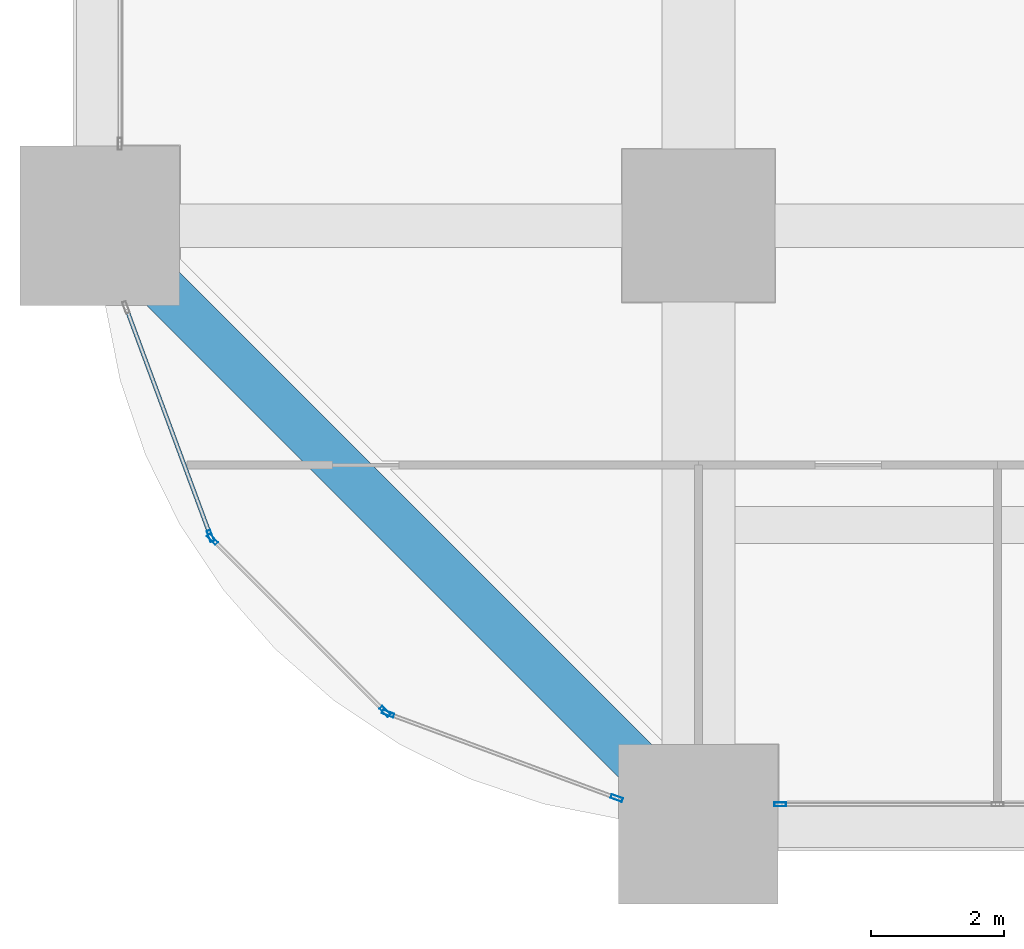
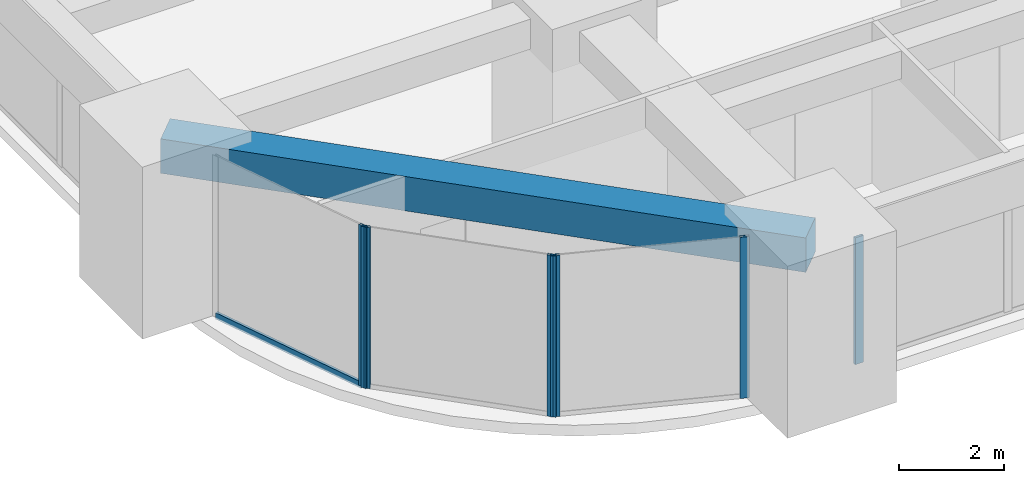
# One storey, part 2 of 44: 7 members, 1 beam, 4 elements without a shape of their own.
"""IFC4 building model written with IfcOpenShell, lengths in metres."""

from ifc_helpers import new_model, si_unit, direction, frame, origin, origin_2d, place, context, subcontext, project, spatial, rectangle, hollow_rectangle, extrude, material, material_profile, profile_set, type_object, element, aggregate, save


model = new_model("IFC4")

# Units and contexts
model_context = context("Model", 3, precision=1e-05, world=origin(), true_north=direction((0.0, 1.0)))
body_context = subcontext(model_context, "Body", "Model", "MODEL_VIEW")
ifc_project = project(units=[si_unit("LENGTHUNIT", "METRE"), si_unit("AREAUNIT", "SQUARE_METRE"), si_unit("VOLUMEUNIT", "CUBIC_METRE"), si_unit("PLANEANGLEUNIT", "RADIAN"), si_unit("MASSUNIT", "GRAM", prefix="KILO")], contexts=[model_context])

# Site, building, storey
site_placement = place(None, origin())
site = spatial("IfcSite", under=ifc_project, at=site_placement, CompositionType="ELEMENT")
building_placement = place(site_placement, origin())
building = spatial("IfcBuilding", under=site, at=building_placement, Name="Zorevar Civic Tower", CompositionType="ELEMENT")
storey_placement = place(building_placement, frame((0.0, 0.0, 43.800048828125)))
storey = spatial("IfcBuildingStorey", under=building, at=storey_placement, Name="L10", CompositionType="ELEMENT", Elevation=43.800048828125)

# Curtain wall, member
ifc_material_1 = material(Name="Dark grey solar-control glass in black aluminium frame", Category="aluminium")
curtain_wall_type = type_object("IfcCurtainWallType", Name="Curtain wall CW2 low zone", PredefinedType="NOTDEFINED", material=ifc_material_1)
curtain_wall_1_placement = place(storey_placement, origin())
curtain_wall_1 = element("IfcCurtainWall", 1, at=curtain_wall_1_placement, inside=storey, type_object=curtain_wall_type, Name="CW2 L10", PredefinedType="NOTDEFINED")
ifc_material_2 = material(Name="Aluminium, black anodised", Category="aluminium")
ifc_material_profile_1 = material_profile(ifc_material_2, hollow_rectangle(XDim=0.06005859375, YDim=0.179931640625, WallThickness=0.00390625, at=origin_2d()), Name="AL 180x60x4")
ifc_profile_set_1 = profile_set([ifc_material_profile_1], Name="Aluminium, black anodised")
member_type_1 = type_object("IfcMemberType", Name="CW2 mullion AL 180x60x4", PredefinedType="MULLION", material=ifc_profile_set_1)
member_1_placement = place(storey_placement, frame((10.22998046875, 0.300048828125, 0.0), z_axis=(0.0, 0.0, 1.0), x_axis=(0.0, 1.0, 0.0)))
member_1 = element("IfcMember", 2, at=member_1_placement, type_object=member_type_1, Name="CW2 mullion 1", PredefinedType="MULLION", context=body_context, shape_type="SweptSolid", body=[
    extrude(hollow_rectangle(XDim=0.06005859375, YDim=0.179931640625, WallThickness=0.00390625, at=origin_2d()), origin(), (0.0, 0.0, 1.0), 2.949951171875),
])
aggregate(curtain_wall_1, [member_1])

curtain_wall_2_placement = place(storey_placement, origin())
curtain_wall_2 = element("IfcCurtainWall", 3, at=curtain_wall_2_placement, inside=storey, type_object=curtain_wall_type, Name="CW2 L10", PredefinedType="NOTDEFINED")
member_2_placement = place(storey_placement, frame((1.663818359375, 4.33544921875, 0.0), z_axis=(0.0, 0.0, 1.0), x_axis=(0.937974588163, 0.346704012033, 0.0)))
member_2 = element("IfcMember", 4, at=member_2_placement, type_object=member_type_1, Name="CW2 mullion 2", PredefinedType="MULLION", context=body_context, shape_type="SweptSolid", body=[
    extrude(hollow_rectangle(XDim=0.06005859375, YDim=0.179931640625, WallThickness=0.00390625, at=origin_2d()), origin(), (0.0, 0.0, 1.0), 3.75),
])

# Curtain wall, members
curtain_wall_3_placement = place(storey_placement, origin())
curtain_wall_3 = element("IfcCurtainWall", 5, at=curtain_wall_3_placement, inside=storey, type_object=curtain_wall_type, Name="CW2 L10", PredefinedType="NOTDEFINED")
member_3_placement = place(storey_placement, frame((1.6953125, 4.2861328125, 0.0), z_axis=(0.0, 0.0, 1.0), x_axis=(0.707106781187, 0.707106781187, 0.0)))
member_3 = element("IfcMember", 6, at=member_3_placement, type_object=member_type_1, Name="CW2 mullion 1", PredefinedType="MULLION", context=body_context, shape_type="SweptSolid", body=[
    extrude(hollow_rectangle(XDim=0.06005859375, YDim=0.179931640625, WallThickness=0.00390625, at=origin_2d()), origin(), (0.0, 0.0, 1.0), 3.75),
])
member_4_placement = place(storey_placement, frame((4.2861328125, 1.6953125, 0.0), z_axis=(0.0, 0.0, 1.0), x_axis=(0.707106781187, 0.707106781187, 0.0)))
member_4 = element("IfcMember", 7, at=member_4_placement, type_object=member_type_1, Name="CW2 mullion 2", PredefinedType="MULLION", context=body_context, shape_type="SweptSolid", body=[
    extrude(hollow_rectangle(XDim=0.06005859375, YDim=0.179931640625, WallThickness=0.00390625, at=origin_2d()), origin(), (0.0, 0.0, 1.0), 3.75),
])
aggregate(curtain_wall_3, [member_3, member_4])

curtain_wall_4_placement = place(storey_placement, origin())
curtain_wall_4 = element("IfcCurtainWall", 8, at=curtain_wall_4_placement, inside=storey, type_object=curtain_wall_type, Name="CW2 L10", PredefinedType="NOTDEFINED")
member_5_placement = place(storey_placement, frame((4.33544921875, 1.663818359375, 0.0), z_axis=(0.0, 0.0, 1.0), x_axis=(0.346704012033, 0.937974588163, 0.0)))
member_5 = element("IfcMember", 9, at=member_5_placement, type_object=member_type_1, Name="CW2 mullion 1", PredefinedType="MULLION", context=body_context, shape_type="SweptSolid", body=[
    extrude(hollow_rectangle(XDim=0.06005859375, YDim=0.179931640625, WallThickness=0.00390625, at=origin_2d()), origin(), (0.0, 0.0, 1.0), 3.75),
])
member_6_placement = place(storey_placement, frame((7.77197265625, 0.3935546875, 0.0), z_axis=(0.0, 0.0, 1.0), x_axis=(0.346704012033, 0.937974588163, 0.0)))
member_6 = element("IfcMember", 10, at=member_6_placement, type_object=member_type_1, Name="CW2 mullion 2", PredefinedType="MULLION", context=body_context, shape_type="SweptSolid", body=[
    extrude(hollow_rectangle(XDim=0.06005859375, YDim=0.179931640625, WallThickness=0.00390625, at=origin_2d()), origin(), (0.0, 0.0, 1.0), 3.75),
])
aggregate(curtain_wall_4, [member_5, member_6])

# Member
ifc_material_3 = material(Name="Aluminium, black anodised", Category="aluminium")
ifc_material_profile_2 = material_profile(ifc_material_3, hollow_rectangle(XDim=0.06005859375, YDim=0.14990234375, WallThickness=0.00390625, at=origin_2d()), Name="AL 150x60x4")
ifc_profile_set_2 = profile_set([ifc_material_profile_2], Name="Aluminium, black anodised")
member_type_2 = type_object("IfcMemberType", Name="CW2 transom AL 150x60x4", PredefinedType="USERDEFINED", material=ifc_profile_set_2)
member_7_placement = place(storey_placement, frame((0.404052734375, 7.74365234375, 0.030029296875), z_axis=(0.346672169799, -0.93798635741, 0.0), x_axis=(0.93798635741, 0.346672169799, 0.0)))
member_7 = element("IfcMember", 11, at=member_7_placement, type_object=member_type_2, Name="CW2 sill transom", ObjectType="TRANSOM", PredefinedType="USERDEFINED", context=body_context, shape_type="SweptSolid", body=[
    extrude(hollow_rectangle(XDim=0.06005859375, YDim=0.14990234375, WallThickness=0.00390625, at=origin_2d()), origin(), (0.0, 0.0, 1.0), 3.603515625),
])

aggregate(curtain_wall_2, [member_2, member_7])

# Beam
ifc_material_4 = material(Name="Concrete C50/60", Category="concrete")
ifc_material_profile_3 = material_profile(ifc_material_4, rectangle(XDim=0.699951171875, YDim=0.800048828125, at=origin_2d()), Name="RC 700x800")
ifc_profile_set_3 = profile_set([ifc_material_profile_3], Name="Concrete C50/60")
beam_type = type_object("IfcBeamType", Name="Edge beam RC 700x800", PredefinedType="SPANDREL", material=ifc_profile_set_3)
beam_placement = place(storey_placement, frame((0.0, 9.0, 3.349853515625), z_axis=(0.707106781187, -0.707106781187, 0.0), x_axis=(0.707106781187, 0.707106781187, 0.0)))
element("IfcBeam", 12, at=beam_placement, inside=storey, type_object=beam_type, Name="Corner edge beam L11", PredefinedType="SPANDREL", context=body_context, shape_type="SweptSolid", body=[
    extrude(rectangle(XDim=0.699951171875, YDim=0.800048828125, at=origin_2d()), origin(), (0.0, 0.0, 1.0), 12.72802734375),
])

save(model, "model.ifc")
